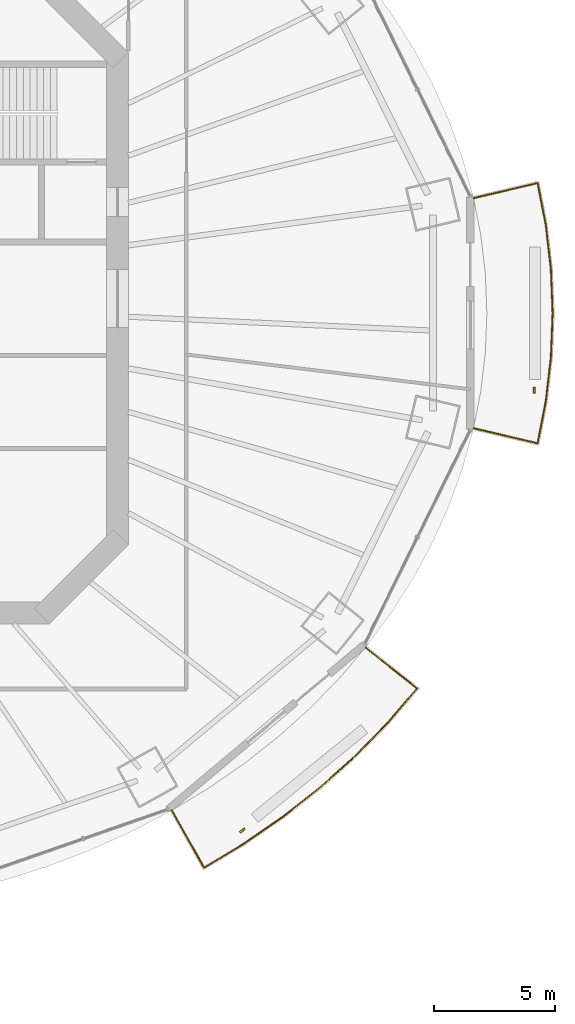
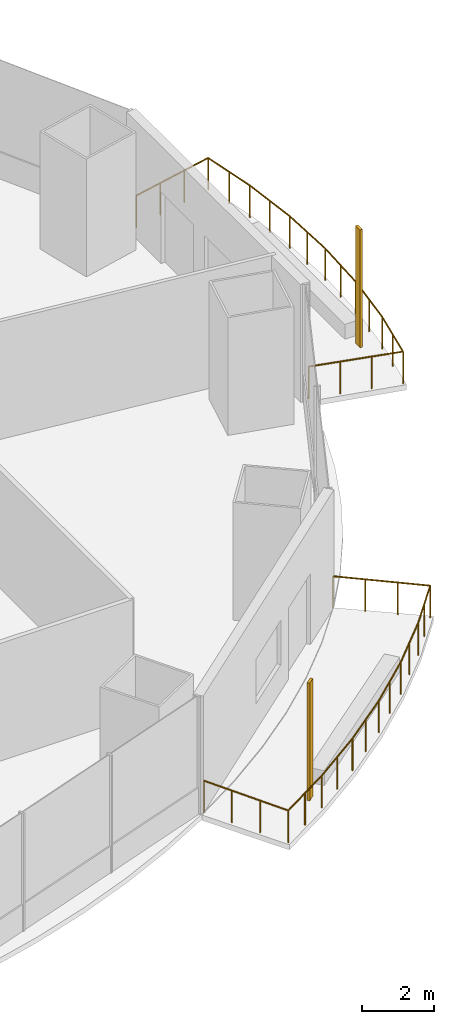
# One storey, part 15 of 18: 2 railings, 2 shading devices.
"""IFC4 building model written with IfcOpenShell, lengths in metres."""

from ifc_helpers import new_model, si_unit, direction, frame, origin, origin_2d, place, context, subcontext, project, spatial, rectangle, circle, extrude, material, material_profile, profile_set, type_object, element, save


model = new_model("IFC4")

# Units and contexts
model_context = context("Model", 3, precision=1e-05, world=origin(), true_north=direction((0.0, 1.0)))
body_context = subcontext(model_context, "Body", "Model", "MODEL_VIEW")
ifc_project = project(units=[si_unit("LENGTHUNIT", "METRE"), si_unit("AREAUNIT", "SQUARE_METRE"), si_unit("VOLUMEUNIT", "CUBIC_METRE"), si_unit("PLANEANGLEUNIT", "RADIAN"), si_unit("MASSUNIT", "GRAM", prefix="KILO")], contexts=[model_context])

# Site, building, storey
site_placement = place(None, origin())
site = spatial("IfcSite", under=ifc_project, at=site_placement, CompositionType="ELEMENT")
building_placement = place(site_placement, origin())
building = spatial("IfcBuilding", under=site, at=building_placement, Name="Marenthal Gate Tower", CompositionType="ELEMENT")
storey_placement = place(building_placement, frame((0.0, 0.0, 260.64990234375)))
storey = spatial("IfcBuildingStorey", under=building, at=storey_placement, Name="L58", CompositionType="ELEMENT", Elevation=260.64990234375)

# Railings
ifc_material_1 = material(Name="Stainless steel", Category="steel")
railing_type = type_object("IfcRailingType", Name="Balcony guard 1100", PredefinedType="GUARDRAIL", material=ifc_material_1)
railing_1_placement = place(storey_placement, frame((26.262939453125, -14.43408203125, 0.0)))
element("IfcRailing", 1, at=railing_1_placement, inside=storey, type_object=railing_type, Name="Balcony guard L58 bay 14", PredefinedType="GUARDRAIL", context=body_context, shape_type="SweptSolid", body=[
    extrude(circle(Radius=0.02392578125, at=origin_2d()), frame((0.0, 0.0, 1.076171875), z_axis=(0.783056613059, -0.621778362782, -0.014629023258), x_axis=(0.621844906334, 0.783140416826, 0.0)), (0.0, 0.0, 1.0), 2.72021484375),
    extrude(circle(Radius=0.02392578125, at=origin_2d()), frame((2.130126953125, -1.69140625, 1.0361328125), z_axis=(-0.649828188236, -0.760081131047, 0.0), x_axis=(0.760081131047, -0.649828188236, 0.0)), (0.0, 0.0, 1.0), 1.837890625),
    extrude(circle(Radius=0.02392578125, at=origin_2d()), frame((0.935791015625, -3.08837890625, 1.0361328125), z_axis=(-0.698341207258, -0.715765016081, 0.0), x_axis=(0.715765016081, -0.698341207258, 0.0)), (0.0, 0.0, 1.0), 1.93359375),
    extrude(circle(Radius=0.02392578125, at=origin_2d()), frame((-0.41455078125, -4.472412109375, 1.0361328125), z_axis=(-0.744090634805, -0.668078683387, 0.0), x_axis=(0.668078683387, -0.744090634805, 0.0)), (0.0, 0.0, 1.0), 1.94970703125),
    extrude(circle(Radius=0.02392578125, at=origin_2d()), frame((-1.865234375, -5.77490234375, 1.0361328125), z_axis=(-0.785632541266, -0.618693389414, 0.0), x_axis=(0.618693389414, -0.785632541266, 0.0)), (0.0, 0.0, 1.0), 1.965576171875),
    extrude(circle(Radius=0.02392578125, at=origin_2d()), frame((-3.409423828125, -6.990966796875, 1.0361328125), z_axis=(-0.823073780852, -0.567934460369, 0.0), x_axis=(0.567934460369, -0.823073780852, 0.0)), (0.0, 0.0, 1.0), 1.981689453125),
    extrude(circle(Radius=0.02392578125, at=origin_2d()), frame((-5.04052734375, -8.116455078125, 1.0361328125), z_axis=(-0.855802788103, -0.517302221023, 0.0), x_axis=(0.517302221023, -0.855802788103, 0.0)), (0.0, 0.0, 1.0), 1.9169921875),
    extrude(circle(Radius=0.02392578125, at=origin_2d()), frame((-6.68115234375, -9.108154296875, 1.0361328125), z_axis=(-0.49011077196, 0.87153739361, 0.014628832783), x_axis=(-0.871630664279, -0.490163222905, 0.0)), (0.0, 0.0, 1.0), 2.72021484375),
    extrude(circle(Radius=0.02099609375, at=origin_2d()), origin(), (0.0, 0.0, 1.0), 1.052001953125),
    extrude(circle(Radius=0.02099609375, at=origin_2d()), frame((0.7099609375, -0.563720703125, -0.01318359375)), (0.0, 0.0, 1.0), 1.052001953125),
    extrude(circle(Radius=0.02099609375, at=origin_2d()), frame((1.420166015625, -1.127685546875, -0.026611328125)), (0.0, 0.0, 1.0), 1.052001953125),
    extrude(circle(Radius=0.02099609375, at=origin_2d()), frame((2.130126953125, -1.69140625, -0.039794921875)), (0.0, 0.0, 1.0), 1.052001953125),
    extrude(circle(Radius=0.02099609375, at=origin_2d()), frame((1.532958984375, -2.389892578125, -0.039794921875)), (0.0, 0.0, 1.0), 1.052001953125),
    extrude(circle(Radius=0.02099609375, at=origin_2d()), frame((0.935791015625, -3.08837890625, -0.039794921875)), (0.0, 0.0, 1.0), 1.052001953125),
    extrude(circle(Radius=0.02099609375, at=origin_2d()), frame((0.2607421875, -3.7802734375, -0.039794921875)), (0.0, 0.0, 1.0), 1.052001953125),
    extrude(circle(Radius=0.02099609375, at=origin_2d()), frame((-0.41455078125, -4.472412109375, -0.039794921875)), (0.0, 0.0, 1.0), 1.052001953125),
    extrude(circle(Radius=0.02099609375, at=origin_2d()), frame((-1.139892578125, -5.12353515625, -0.039794921875)), (0.0, 0.0, 1.0), 1.052001953125),
    extrude(circle(Radius=0.02099609375, at=origin_2d()), frame((-1.865234375, -5.77490234375, -0.039794921875)), (0.0, 0.0, 1.0), 1.052001953125),
    extrude(circle(Radius=0.02099609375, at=origin_2d()), frame((-2.63720703125, -6.3828125, -0.039794921875)), (0.0, 0.0, 1.0), 1.052001953125),
    extrude(circle(Radius=0.02099609375, at=origin_2d()), frame((-3.409423828125, -6.990966796875, -0.039794921875)), (0.0, 0.0, 1.0), 1.052001953125),
    extrude(circle(Radius=0.02099609375, at=origin_2d()), frame((-4.22509765625, -7.5537109375, -0.039794921875)), (0.0, 0.0, 1.0), 1.052001953125),
    extrude(circle(Radius=0.02099609375, at=origin_2d()), frame((-5.04052734375, -8.116455078125, -0.039794921875)), (0.0, 0.0, 1.0), 1.052001953125),
    extrude(circle(Radius=0.02099609375, at=origin_2d()), frame((-5.86083984375, -8.6123046875, -0.039794921875)), (0.0, 0.0, 1.0), 1.052001953125),
    extrude(circle(Radius=0.02099609375, at=origin_2d()), frame((-6.68115234375, -9.108154296875, -0.039794921875)), (0.0, 0.0, 1.0), 1.052001953125),
    extrude(circle(Radius=0.02099609375, at=origin_2d()), frame((-7.12548828125, -8.31787109375, -0.026611328125)), (0.0, 0.0, 1.0), 1.052001953125),
    extrude(circle(Radius=0.02099609375, at=origin_2d()), frame((-7.570068359375, -7.527587890625, -0.01318359375)), (0.0, 0.0, 1.0), 1.052001953125),
    extrude(circle(Radius=0.02099609375, at=origin_2d()), frame((-8.014404296875, -6.7373046875, 0.0)), (0.0, 0.0, 1.0), 1.052001953125),
])
railing_2_placement = place(storey_placement, frame((30.73291015625, 4.157958984375, 0.0)))
element("IfcRailing", 2, at=railing_2_placement, inside=storey, type_object=railing_type, Name="Balcony guard L58 bay 16", PredefinedType="GUARDRAIL", context=body_context, shape_type="SweptSolid", body=[
    extrude(circle(Radius=0.02392578125, at=origin_2d()), frame((0.0, 0.0, 1.076171875), z_axis=(0.973078294873, 0.230010114337, -0.014628033023), x_axis=(-0.230034726995, 0.973182420914, 0.0)), (0.0, 0.0, 1.0), 2.720458984375),
    extrude(circle(Radius=0.02392578125, at=origin_2d()), frame((2.647216796875, 0.625732421875, 1.0361328125), z_axis=(0.190858521414, -0.981617555265, 0.0), x_axis=(0.981617555265, 0.190858521414, 0.0)), (0.0, 0.0, 1.0), 1.76025390625),
    extrude(circle(Radius=0.02392578125, at=origin_2d()), frame((2.983154296875, -1.10205078125, 1.0361328125), z_axis=(0.116355162859, -0.993207670166, 0.0), x_axis=(0.993207670166, 0.116355162859, 0.0)), (0.0, 0.0, 1.0), 1.8359375),
    extrude(circle(Radius=0.02392578125, at=origin_2d()), frame((3.19677734375, -2.925537109375, 1.0361328125), z_axis=(0.038872807979, -0.999244166758, 0.0), x_axis=(0.999244166758, 0.038872807979, 0.0)), (0.0, 0.0, 1.0), 1.833984375),
    extrude(circle(Radius=0.02392578125, at=origin_2d()), frame((3.26806640625, -4.758056640625, 1.0361328125), z_axis=(-0.038877979739, -0.999243965552, 0.0), x_axis=(0.999243965552, -0.038877979739, 0.0)), (0.0, 0.0, 1.0), 1.833740234375),
    extrude(circle(Radius=0.02392578125, at=origin_2d()), frame((3.19677734375, -6.59033203125, 1.0361328125), z_axis=(-0.116355162859, -0.993207670166, 0.0), x_axis=(0.993207670166, -0.116355162859, 0.0)), (0.0, 0.0, 1.0), 1.8359375),
    extrude(circle(Radius=0.02392578125, at=origin_2d()), frame((2.983154296875, -8.413818359375, 1.0361328125), z_axis=(-0.190858521414, -0.981617555265, 0.0), x_axis=(0.981617555265, -0.190858521414, 0.0)), (0.0, 0.0, 1.0), 1.76025390625),
    extrude(circle(Radius=0.02392578125, at=origin_2d()), frame((2.647216796875, -10.1416015625, 1.0361328125), z_axis=(-0.973098377557, 0.22992511697, 0.01462833492), x_axis=(-0.229949721547, -0.973202510046, 0.0)), (0.0, 0.0, 1.0), 2.720458984375),
    extrude(circle(Radius=0.02099609375, at=origin_2d()), origin(), (0.0, 0.0, 1.0), 1.052001953125),
    extrude(circle(Radius=0.02099609375, at=origin_2d()), frame((0.88232421875, 0.20849609375, -0.01318359375)), (0.0, 0.0, 1.0), 1.052001953125),
    extrude(circle(Radius=0.02099609375, at=origin_2d()), frame((1.764892578125, 0.417236328125, -0.026611328125)), (0.0, 0.0, 1.0), 1.052001953125),
    extrude(circle(Radius=0.02099609375, at=origin_2d()), frame((2.647216796875, 0.625732421875, -0.039794921875)), (0.0, 0.0, 1.0), 1.052001953125),
    extrude(circle(Radius=0.02099609375, at=origin_2d()), frame((2.815185546875, -0.23828125, -0.039794921875)), (0.0, 0.0, 1.0), 1.052001953125),
    extrude(circle(Radius=0.02099609375, at=origin_2d()), frame((2.983154296875, -1.10205078125, -0.039794921875)), (0.0, 0.0, 1.0), 1.052001953125),
    extrude(circle(Radius=0.02099609375, at=origin_2d()), frame((3.08984375, -2.013671875, -0.039794921875)), (0.0, 0.0, 1.0), 1.052001953125),
    extrude(circle(Radius=0.02099609375, at=origin_2d()), frame((3.19677734375, -2.925537109375, -0.039794921875)), (0.0, 0.0, 1.0), 1.052001953125),
    extrude(circle(Radius=0.02099609375, at=origin_2d()), frame((3.232421875, -3.841796875, -0.039794921875)), (0.0, 0.0, 1.0), 1.052001953125),
    extrude(circle(Radius=0.02099609375, at=origin_2d()), frame((3.26806640625, -4.758056640625, -0.039794921875)), (0.0, 0.0, 1.0), 1.052001953125),
    extrude(circle(Radius=0.02099609375, at=origin_2d()), frame((3.232421875, -5.67431640625, -0.039794921875)), (0.0, 0.0, 1.0), 1.052001953125),
    extrude(circle(Radius=0.02099609375, at=origin_2d()), frame((3.19677734375, -6.59033203125, -0.039794921875)), (0.0, 0.0, 1.0), 1.052001953125),
    extrude(circle(Radius=0.02099609375, at=origin_2d()), frame((3.08984375, -7.501953125, -0.039794921875)), (0.0, 0.0, 1.0), 1.052001953125),
    extrude(circle(Radius=0.02099609375, at=origin_2d()), frame((2.983154296875, -8.413818359375, -0.039794921875)), (0.0, 0.0, 1.0), 1.052001953125),
    extrude(circle(Radius=0.02099609375, at=origin_2d()), frame((2.815185546875, -9.27783203125, -0.039794921875)), (0.0, 0.0, 1.0), 1.052001953125),
    extrude(circle(Radius=0.02099609375, at=origin_2d()), frame((2.647216796875, -10.1416015625, -0.039794921875)), (0.0, 0.0, 1.0), 1.052001953125),
    extrude(circle(Radius=0.02099609375, at=origin_2d()), frame((1.764892578125, -9.93310546875, -0.026611328125)), (0.0, 0.0, 1.0), 1.052001953125),
    extrude(circle(Radius=0.02099609375, at=origin_2d()), frame((0.88232421875, -9.724609375, -0.01318359375)), (0.0, 0.0, 1.0), 1.052001953125),
    extrude(circle(Radius=0.02099609375, at=origin_2d()), frame((0.0, -9.51611328125, 0.0)), (0.0, 0.0, 1.0), 1.052001953125),
])

# Shading devices
ifc_material_2 = material(Name="Terracotta", Category="masonry")
ifc_material_profile = material_profile(ifc_material_2, rectangle(XDim=0.25, YDim=0.080078125, at=origin_2d()), Name="Terracotta baguette 250x80")
ifc_profile_set = profile_set([ifc_material_profile], Name="Terracotta")
shading_device_type = type_object("IfcShadingDeviceType", Name="Terracotta BAGUETTE SCREEN 250x80", PredefinedType="USERDEFINED", material=ifc_profile_set)
for number, where, z_axis, x_axis, name in (
    (3, (21.16552734375, -22.000732421875, -0.039794921875), (0.0, 0.0, 1.0), (0.765301302142, 0.64367221234, 0.0), "Terracotta BAGUETTE L58 bay 14L"),
    (4, (33.248046875, -3.780517578125, -0.039794921875), (0.0, 0.0, 1.0), (0.0, 1.0, 0.0), "Terracotta BAGUETTE L58 bay 16L"),
):
    element("IfcShadingDevice", number, at=place(storey_placement, frame(where, z_axis=z_axis, x_axis=x_axis)), inside=storey, type_object=shading_device_type, Name=name, ObjectType="BAGUETTE SCREEN", PredefinedType="USERDEFINED", context=body_context, shape_type="SweptSolid", body=[
        extrude(rectangle(XDim=0.25, YDim=0.080078125, at=origin_2d()), origin(), (0.0, 0.0, 1.0), 3.969970703125),
    ])

save(model, "model.ifc")
